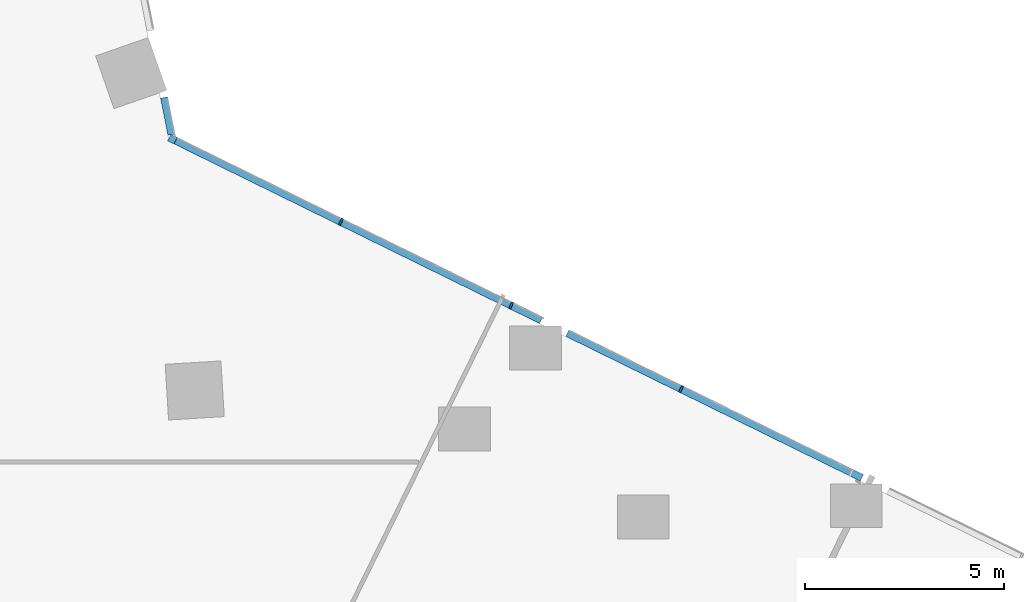
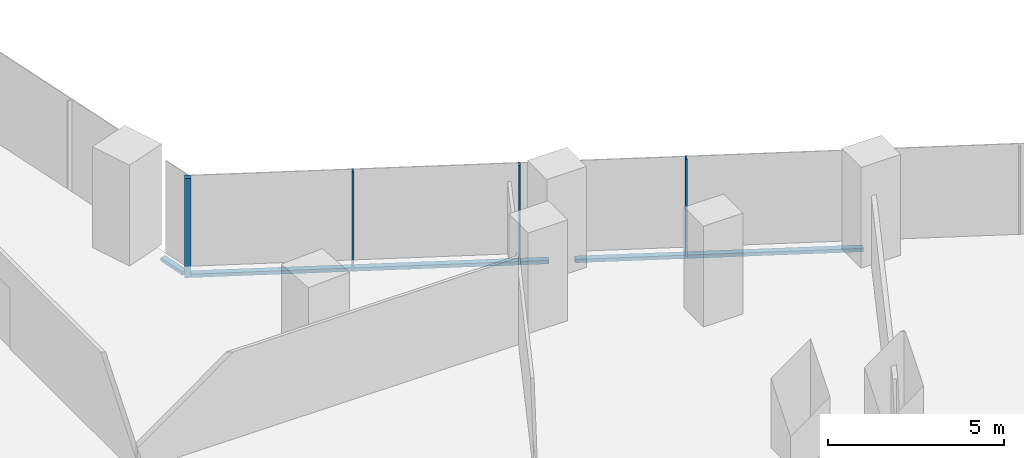
# One storey, part 11 of 38: 7 members, 2 elements without a shape of their own.
"""IFC4 building model written with IfcOpenShell, lengths in metres."""

from ifc_helpers import new_model, si_unit, direction, frame, origin, origin_2d, place, context, subcontext, project, spatial, rectangle, extrude, material, material_profile, profile_set, type_object, element, aggregate, save


model = new_model("IFC4")

# Units and contexts
model_context = context("Model", 3, precision=1e-05, world=origin(), true_north=direction((0.0, 1.0)))
body_context = subcontext(model_context, "Body", "Model", "MODEL_VIEW")
ifc_project = project(units=[si_unit("LENGTHUNIT", "METRE"), si_unit("AREAUNIT", "SQUARE_METRE"), si_unit("VOLUMEUNIT", "CUBIC_METRE"), si_unit("PLANEANGLEUNIT", "RADIAN"), si_unit("MASSUNIT", "GRAM", prefix="KILO")], contexts=[model_context])

# Site, building, storey
site_placement = place(None, origin())
site = spatial("IfcSite", under=ifc_project, at=site_placement, CompositionType="ELEMENT")
building_placement = place(site_placement, origin())
building = spatial("IfcBuilding", under=site, at=building_placement, Name="Orlundy Tower", CompositionType="ELEMENT")
storey_placement = place(building_placement, frame((0.0, 0.0, 69.300048828125)))
storey = spatial("IfcBuildingStorey", under=building, at=storey_placement, Name="L16", CompositionType="ELEMENT", Elevation=69.300048828125)

# Curtain wall, members
ifc_material_1 = material(Name="Aluminium bronze anodised", Category="aluminium")
curtain_wall_type = type_object("IfcCurtainWallType", Name="CW1 wall", PredefinedType="NOTDEFINED", material=ifc_material_1)
curtain_wall_1_placement = place(storey_placement, origin())
curtain_wall_1 = element("IfcCurtainWall", 1, at=curtain_wall_1_placement, inside=storey, type_object=curtain_wall_type, Name="CW1 run 018", PredefinedType="NOTDEFINED")
ifc_material_2 = material(Name="Aluminium bronze anodised", Category="aluminium")
ifc_material_profile_1 = material_profile(ifc_material_2, rectangle(XDim=0.179931640625, YDim=0.179931640625, at=origin_2d()), Name="CW1 corner post 180x180")
ifc_profile_set_1 = profile_set([ifc_material_profile_1], Name="Aluminium bronze anodised")
member_type_1 = type_object("IfcMemberType", Name="CW1 corner post 180x180", PredefinedType="MULLION", material=ifc_profile_set_1)
member_1_placement = place(storey_placement, frame((29.064453125, 8.103271484375, -0.400146484375), z_axis=(0.0, 0.0, 1.0), x_axis=(0.440978180969, 0.897517823728, 0.0)))
member_1 = element("IfcMember", 2, at=member_1_placement, type_object=member_type_1, Name="CW1 mullion 51", PredefinedType="MULLION", context=body_context, shape_type="SweptSolid", body=[
    extrude(rectangle(XDim=0.179931640625, YDim=0.179931640625, at=origin_2d()), origin(), (0.0, 0.0, 1.0), 3.4501953125),
])
ifc_material_3 = material(Name="Aluminium bronze anodised", Category="aluminium")
ifc_material_profile_2 = material_profile(ifc_material_3, rectangle(XDim=0.179931640625, YDim=0.050048828125, at=origin_2d()), Name="CW1 mullion 50x180")
ifc_profile_set_2 = profile_set([ifc_material_profile_2], Name="Aluminium bronze anodised")
member_type_2 = type_object("IfcMemberType", Name="CW1 mullion 50x180", PredefinedType="MULLION", material=ifc_profile_set_2)
member_2_placement = place(storey_placement, frame((33.292724609375, 6.02587890625, -0.400146484375), z_axis=(0.0, 0.0, 1.0), x_axis=(0.440978180969, 0.897517823728, 0.0)))
member_2 = element("IfcMember", 3, at=member_2_placement, type_object=member_type_2, Name="CW1 mullion 52", PredefinedType="MULLION", context=body_context, shape_type="SweptSolid", body=[
    extrude(rectangle(XDim=0.179931640625, YDim=0.050048828125, at=origin_2d()), origin(), (0.0, 0.0, 1.0), 3.4501953125),
])
member_3_placement = place(storey_placement, frame((37.560791015625, 3.9287109375, -0.400146484375), z_axis=(0.0, 0.0, 1.0), x_axis=(0.440978180969, 0.897517823728, 0.0)))
member_3 = element("IfcMember", 4, at=member_3_placement, type_object=member_type_2, Name="CW1 mullion 53", PredefinedType="MULLION", context=body_context, shape_type="SweptSolid", body=[
    extrude(rectangle(XDim=0.179931640625, YDim=0.050048828125, at=origin_2d()), origin(), (0.0, 0.0, 1.0), 3.4501953125),
])
member_4_placement = place(storey_placement, frame((41.82861328125, 1.831787109375, -0.400146484375), z_axis=(0.0, 0.0, 1.0), x_axis=(0.440978180969, 0.897517823728, 0.0)))
member_4 = element("IfcMember", 5, at=member_4_placement, type_object=member_type_2, Name="CW1 mullion 54", PredefinedType="MULLION", context=body_context, shape_type="SweptSolid", body=[
    extrude(rectangle(XDim=0.179931640625, YDim=0.050048828125, at=origin_2d()), origin(), (0.0, 0.0, 1.0), 3.4501953125),
])

# Curtain wall, member
curtain_wall_2_placement = place(storey_placement, origin())
curtain_wall_2 = element("IfcCurtainWall", 6, at=curtain_wall_2_placement, inside=storey, type_object=curtain_wall_type, Name="CW1 run 017", PredefinedType="NOTDEFINED")
ifc_material_4 = material(Name="Aluminium bronze anodised", Category="aluminium")
ifc_material_profile_3 = material_profile(ifc_material_4, rectangle(XDim=0.179931640625, YDim=0.1201171875, at=origin_2d()), Name="CW1 transom 180x120")
ifc_profile_set_3 = profile_set([ifc_material_profile_3], Name="Aluminium bronze anodised")
member_type_3 = type_object("IfcMemberType", Name="CW1 transom 180x120", PredefinedType="USERDEFINED", material=ifc_profile_set_3)
member_5_placement = place(storey_placement, frame((28.85546875, 9.145751953125, -0.340087890625), z_axis=(0.196610354456, -0.980481702288, 0.0), x_axis=(0.980481702288, 0.196610354456, 0.0)))
member_5 = element("IfcMember", 7, at=member_5_placement, type_object=member_type_3, Name="CW1 transom", ObjectType="TRANSOM", PredefinedType="USERDEFINED", context=body_context, shape_type="SweptSolid", body=[
    extrude(rectangle(XDim=0.179931640625, YDim=0.1201171875, at=origin_2d()), origin(), (0.0, 0.0, 1.0), 0.949951171875),
])
aggregate(curtain_wall_2, [member_5])

# Member
member_6_placement = place(storey_placement, frame((29.145263671875, 8.0634765625, -0.340087890625), z_axis=(0.897522132366, -0.44096941154, 0.0), x_axis=(0.44096941154, 0.897522132366, 0.0)))
member_6 = element("IfcMember", 8, at=member_6_placement, type_object=member_type_3, Name="CW1 transom", ObjectType="TRANSOM", PredefinedType="USERDEFINED", context=body_context, shape_type="SweptSolid", body=[
    extrude(rectangle(XDim=0.179931640625, YDim=0.1201171875, at=origin_2d()), origin(), (0.0, 0.0, 1.0), 10.21484375),
])

member_7_placement = place(storey_placement, frame((38.972900390625, 3.23486328125, -0.340087890625), z_axis=(0.897519729751, -0.44097430164, 0.0), x_axis=(0.44097430164, 0.897519729751, 0.0)))
member_7 = element("IfcMember", 9, at=member_7_placement, type_object=member_type_3, Name="CW1 transom", ObjectType="TRANSOM", PredefinedType="USERDEFINED", context=body_context, shape_type="SweptSolid", body=[
    extrude(rectangle(XDim=0.179931640625, YDim=0.1201171875, at=origin_2d()), origin(), (0.0, 0.0, 1.0), 8.2314453125),
])

aggregate(curtain_wall_1, [member_1, member_2, member_3, member_4, member_6, member_7])

save(model, "model.ifc")
